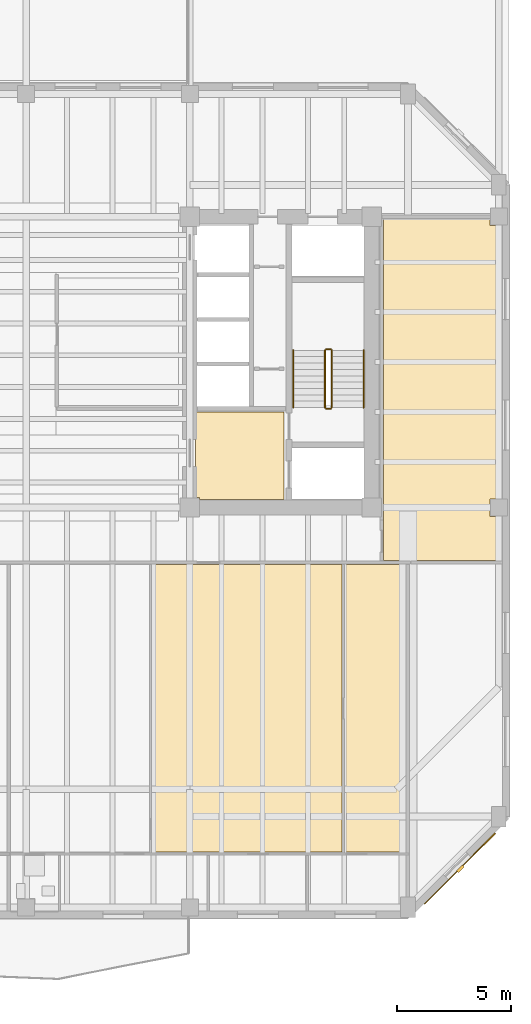
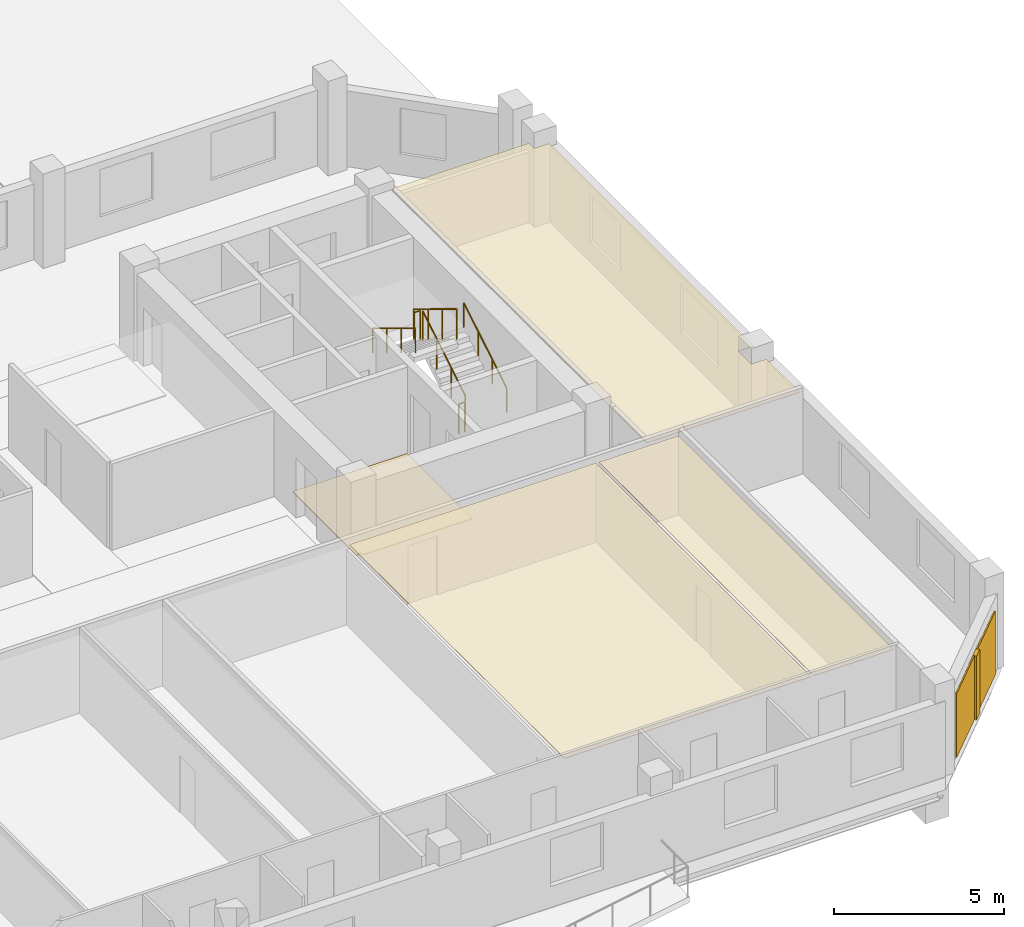
# One storey, part 9 of 11: 6 railings, 5 coverings, 1 shading device.
"""IFC4 building model written with IfcOpenShell, lengths in metres."""

from ifc_helpers import new_model, si_unit, direction, frame, origin, origin_2d, place, context, subcontext, project, spatial, polyline, rectangle, circle, outline, extrude, material, layer, layer_set, type_object, element, save


model = new_model("IFC4")

# Units and contexts
model_context = context("Model", 3, precision=1e-05, world=origin(), true_north=direction((0.0, 1.0)))
body_context = subcontext(model_context, "Body", "Model", "MODEL_VIEW")
ifc_project = project(units=[si_unit("LENGTHUNIT", "METRE"), si_unit("AREAUNIT", "SQUARE_METRE"), si_unit("VOLUMEUNIT", "CUBIC_METRE"), si_unit("PLANEANGLEUNIT", "RADIAN"), si_unit("MASSUNIT", "GRAM", prefix="KILO")], contexts=[model_context])

# Site, building, storey
site_placement = place(None, origin())
site = spatial("IfcSite", under=ifc_project, at=site_placement, CompositionType="ELEMENT")
building_placement = place(site_placement, origin())
building = spatial("IfcBuilding", under=site, at=building_placement, Name="Kranthara Brick Stack", CompositionType="ELEMENT")
storey_placement = place(building_placement, frame((0.0, 0.0, 207.5)))
storey = spatial("IfcBuildingStorey", under=building, at=storey_placement, Name="L53", CompositionType="ELEMENT", Elevation=207.5)

# Coverings
ifc_material_1 = material(Name="Perforated mineral-fibre acoustic ceiling tile", Category="other")
ifc_layer_1 = layer(ifc_material_1, 0.02490234375)
ifc_layer_set_1 = layer_set([ifc_layer_1], Name="Perforated mineral-fibre acoustic ceiling tile")
covering_type_1 = type_object("IfcCoveringType", Name="COV-CEIL-ACOUSTIC", PredefinedType="CEILING", material=ifc_layer_set_1)
covering_1_placement = place(storey_placement, frame((0.0, 0.0, 2.830078125)))
element("IfcCovering", 1, at=covering_1_placement, inside=storey, type_object=covering_type_1, Name="L53 Unit L53B Bedroom 3 Acoustic Ceiling", PredefinedType="CEILING", context=body_context, shape_type="SweptSolid", body=[
    extrude(outline(polyline([(44.719970703125, 5.6298828125), (44.719970703125, 18.300048828125), (42.008056640625, 18.300048828125), (42.008056640625, 5.6298828125), (44.719970703125, 5.6298828125)])), origin(), (0.0, 0.0, 1.0), 0.02490234375),
])
covering_2_placement = place(storey_placement, frame((0.0, 0.0, 2.830078125)))
element("IfcCovering", 2, at=covering_2_placement, inside=storey, type_object=covering_type_1, Name="L53 Unit L53B Private Study Room Acoustic Ceiling", PredefinedType="CEILING", context=body_context, shape_type="SweptSolid", body=[
    extrude(outline(polyline([(41.907958984375, 5.6298828125), (41.907958984375, 18.300048828125), (33.52001953125, 18.300048828125), (33.52001953125, 5.6298828125), (41.907958984375, 5.6298828125)])), origin(), (0.0, 0.0, 1.0), 0.02490234375),
])
covering_3_placement = place(storey_placement, frame((0.0, 0.0, 2.830078125)))
element("IfcCovering", 3, at=covering_3_placement, inside=storey, type_object=covering_type_1, Name="L53 L53 East Panoramic Sky Conservatory Acoustic Ceiling", PredefinedType="CEILING", context=body_context, shape_type="SweptSolid", body=[
    extrude(outline(polyline([(43.72998046875, 18.4599609375), (43.72998046875, 33.52001953125), (48.4150390625, 33.52001953125), (48.4150390625, 33.215087890625), (48.929931640625, 33.215087890625), (48.929931640625, 21.18505859375), (48.4150390625, 21.18505859375), (48.4150390625, 20.4150390625), (48.929931640625, 20.4150390625), (48.929931640625, 18.4599609375), (43.72998046875, 18.4599609375)])), origin(), (0.0, 0.0, 1.0), 0.02490234375),
])
ifc_material_2 = material(Name="Warm buff kiln-fired brick slip rainscreen", Category="masonry")
ifc_layer_2 = layer(ifc_material_2, 0.044921875)
ifc_layer_set_2 = layer_set([ifc_layer_2], Name="Warm buff kiln-fired brick slip rainscreen")
covering_type_2 = type_object("IfcCoveringType", Name="COV-CLAD-BRICK", PredefinedType="CLADDING", material=ifc_layer_set_2)
covering_4_placement = place(storey_placement, frame((47.08740234375, 4.91259765625, 0.0498046875), z_axis=(0.0, 0.0, 1.0), x_axis=(-0.707106781187, -0.707106781187, 0.0)))
element("IfcCovering", 4, at=covering_4_placement, inside=storey, type_object=covering_type_2, Name="L53 Chamfer Brick Rainscreen Cladding SE", PredefinedType="CLADDING", context=body_context, shape_type="SweptSolid", body=[
    extrude(rectangle(XDim=4.39892578125, YDim=0.044921875, at=origin_2d()), origin(), (0.0, 0.0, 1.0), 2.300048828125),
])
ifc_material_3 = material(Name="Honed terrazzo and porcelain floor finish", Category="stone")
ifc_layer_3 = layer(ifc_material_3, 0.030029296875)
ifc_layer_set_3 = layer_set([ifc_layer_3], Name="Honed terrazzo and porcelain floor finish")
covering_type_3 = type_object("IfcCoveringType", Name="COV-FLOR-STONE", PredefinedType="FLOORING", material=ifc_layer_set_3)
covering_5_placement = place(storey_placement, origin())
element("IfcCovering", 5, at=covering_5_placement, inside=storey, type_object=covering_type_3, Name="L53 Lift Lobby Stone Flooring", PredefinedType="FLOORING", context=body_context, shape_type="SweptSolid", body=[
    extrude(outline(polyline([(35.449951171875, 25.0), (39.35009765625, 25.0), (39.35009765625, 21.14990234375), (35.635009765625, 21.14990234375), (35.635009765625, 21.235107421875), (35.449951171875, 21.235107421875), (35.449951171875, 25.0)])), origin(), (0.0, 0.0, 1.0), 0.030029296875),
])

# Railings
ifc_material_4 = material(Name="Painted galvanized steel stair guardrail", Category="steel")
railing_type_1 = type_object("IfcRailingType", Name="RL-STAIR-GUARD-1100", PredefinedType="GUARDRAIL", material=ifc_material_4)
railing_1_placement = place(storey_placement, frame((41.449951171875, 25.199951171875, 0.169921875)))
element("IfcRailing", 6, at=railing_1_placement, inside=storey, type_object=railing_type_1, Name="L53 ST02 stair guard 1", PredefinedType="GUARDRAIL", context=body_context, shape_type="SweptSolid", body=[
    extrude(circle(Radius=0.02392578125, at=origin_2d()), frame((0.0, 0.0, 1.076171875), z_axis=(0.0, 0.85478489116, 0.518982456201), x_axis=(-1.0, 0.0, 0.0)), (0.0, 0.0, 1.0), 2.9482421875),
    extrude(circle(Radius=0.02099609375, at=origin_2d()), origin(), (0.0, 0.0, 1.0), 1.052001953125),
    extrude(circle(Radius=0.02099609375, at=origin_2d()), frame((0.0, 0.840087890625, 0.510009765625)), (0.0, 0.0, 1.0), 1.052001953125),
    extrude(circle(Radius=0.02099609375, at=origin_2d()), frame((0.0, 1.679931640625, 1.02001953125)), (0.0, 0.0, 1.0), 1.052001953125),
    extrude(circle(Radius=0.02099609375, at=origin_2d()), frame((0.0, 2.52001953125, 1.530029296875)), (0.0, 0.0, 1.0), 1.052001953125),
])
railing_2_placement = place(storey_placement, frame((41.39990234375, 27.77001953125, 1.699951171875)))
element("IfcRailing", 7, at=railing_2_placement, inside=storey, type_object=railing_type_1, Name="L53 ST02 stair guard 2", PredefinedType="GUARDRAIL", context=body_context, shape_type="SweptSolid", body=[
    extrude(circle(Radius=0.02392578125, at=origin_2d()), frame((0.0, 0.0, 1.076171875), z_axis=(-1.0, 0.0, 0.0), x_axis=(0.0, -1.0, 0.0)), (0.0, 0.0, 1.0), 0.199951171875),
    extrude(circle(Radius=0.02099609375, at=origin_2d()), origin(), (0.0, 0.0, 1.0), 1.052001953125),
    extrude(circle(Radius=0.02099609375, at=origin_2d()), frame((-0.199951171875, 0.0, 0.0)), (0.0, 0.0, 1.0), 1.052001953125),
])
railing_3_placement = place(storey_placement, frame((41.14990234375, 27.719970703125, 1.8701171875)))
element("IfcRailing", 8, at=railing_3_placement, inside=storey, type_object=railing_type_1, Name="L53 ST02 stair guard 3", PredefinedType="GUARDRAIL", context=body_context, shape_type="SweptSolid", body=[
    extrude(circle(Radius=0.02392578125, at=origin_2d()), frame((0.0, 0.0, 1.076171875), z_axis=(0.0, -0.854821627497, 0.518921945155), x_axis=(1.0, 0.0, 0.0)), (0.0, 0.0, 1.0), 2.947998046875),
    extrude(circle(Radius=0.02099609375, at=origin_2d()), origin(), (0.0, 0.0, 1.0), 1.052001953125),
    extrude(circle(Radius=0.02099609375, at=origin_2d()), frame((0.0, -0.840087890625, 0.510009765625)), (0.0, 0.0, 1.0), 1.052001953125),
    extrude(circle(Radius=0.02099609375, at=origin_2d()), frame((0.0, -1.679931640625, 1.019775390625)), (0.0, 0.0, 1.0), 1.052001953125),
    extrude(circle(Radius=0.02099609375, at=origin_2d()), frame((0.0, -2.52001953125, 1.52978515625)), (0.0, 0.0, 1.0), 1.052001953125),
])
railing_4_placement = place(storey_placement, frame((41.39990234375, 25.14990234375, 0.0)))
element("IfcRailing", 9, at=railing_4_placement, inside=storey, type_object=railing_type_1, Name="L53 ST02 stair guard 4", PredefinedType="GUARDRAIL", context=body_context, shape_type="SweptSolid", body=[
    extrude(circle(Radius=0.02392578125, at=origin_2d()), frame((0.0, 0.0, 1.076171875), z_axis=(-1.0, 0.0, 0.0), x_axis=(0.0, -1.0, 0.0)), (0.0, 0.0, 1.0), 0.199951171875),
    extrude(circle(Radius=0.02099609375, at=origin_2d()), origin(), (0.0, 0.0, 1.0), 1.052001953125),
    extrude(circle(Radius=0.02099609375, at=origin_2d()), frame((-0.199951171875, 0.0, 0.0)), (0.0, 0.0, 1.0), 1.052001953125),
])
ifc_material_5 = material(Name="Brushed stainless steel tubular handrail", Category="steel")
railing_type_2 = type_object("IfcRailingType", Name="RL-STAIR-HAND-900", PredefinedType="HANDRAIL", material=ifc_material_5)
railing_5_placement = place(storey_placement, frame((42.85009765625, 25.199951171875, 0.169921875)))
element("IfcRailing", 10, at=railing_5_placement, inside=storey, type_object=railing_type_2, Name="L53 ST02 stair handrail 1", PredefinedType="HANDRAIL", context=body_context, shape_type="SweptSolid", body=[
    extrude(circle(Radius=0.02392578125, at=origin_2d()), frame((0.0, 0.0, 0.8759765625), z_axis=(0.0, 0.85478489116, 0.518982456201), x_axis=(-1.0, 0.0, 0.0)), (0.0, 0.0, 1.0), 2.9482421875),
    extrude(circle(Radius=0.02099609375, at=origin_2d()), origin(), (0.0, 0.0, 1.0), 0.851806640625),
    extrude(circle(Radius=0.02099609375, at=origin_2d()), frame((0.0, 0.840087890625, 0.510009765625)), (0.0, 0.0, 1.0), 0.851806640625),
    extrude(circle(Radius=0.02099609375, at=origin_2d()), frame((0.0, 1.679931640625, 1.02001953125)), (0.0, 0.0, 1.0), 0.851806640625),
    extrude(circle(Radius=0.02099609375, at=origin_2d()), frame((0.0, 2.52001953125, 1.530029296875)), (0.0, 0.0, 1.0), 0.851806640625),
])
railing_6_placement = place(storey_placement, frame((39.75, 27.719970703125, 1.8701171875)))
element("IfcRailing", 11, at=railing_6_placement, inside=storey, type_object=railing_type_2, Name="L53 ST02 stair handrail 2", PredefinedType="HANDRAIL", context=body_context, shape_type="SweptSolid", body=[
    extrude(circle(Radius=0.02392578125, at=origin_2d()), frame((0.0, 0.0, 0.8759765625), z_axis=(0.0, -0.854821627497, 0.518921945155), x_axis=(1.0, 0.0, 0.0)), (0.0, 0.0, 1.0), 2.947998046875),
    extrude(circle(Radius=0.02099609375, at=origin_2d()), origin(), (0.0, 0.0, 1.0), 0.851806640625),
    extrude(circle(Radius=0.02099609375, at=origin_2d()), frame((0.0, -0.840087890625, 0.510009765625)), (0.0, 0.0, 1.0), 0.851806640625),
    extrude(circle(Radius=0.02099609375, at=origin_2d()), frame((0.0, -1.679931640625, 1.019775390625)), (0.0, 0.0, 1.0), 0.851806640625),
    extrude(circle(Radius=0.02099609375, at=origin_2d()), frame((0.0, -2.52001953125, 1.52978515625)), (0.0, 0.0, 1.0), 0.851806640625),
])

# Shading device
ifc_material_6 = material(Name="Kiln-fired terracotta aerodynamic wind fin", Category="masonry")
shading_device_type = type_object("IfcShadingDeviceType", Name="SHD-BAFFLE-CORNER", PredefinedType="SHUTTER", material=ifc_material_6)
shading_device_placement = place(storey_placement, frame((47.1083984375, 4.8916015625, 0.0498046875), z_axis=(0.0, 0.0, 1.0), x_axis=(-0.707106781187, -0.707106781187, 0.0)))
element("IfcShadingDevice", 12, at=shading_device_placement, inside=storey, type_object=shading_device_type, Name="L53 Chamfer Wind-Baffle Fin SE", PredefinedType="SHUTTER", context=body_context, shape_type="SweptSolid", body=[
    extrude(rectangle(XDim=0.35009765625, YDim=0.1201171875, at=origin_2d()), origin(), (0.0, 0.0, 1.0), 2.300048828125),
])

save(model, "model.ifc")
